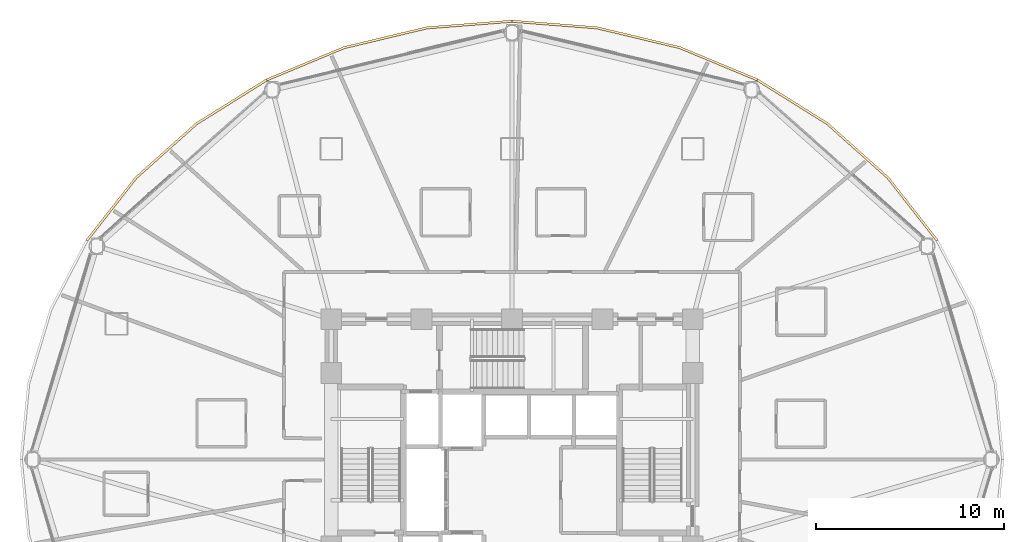
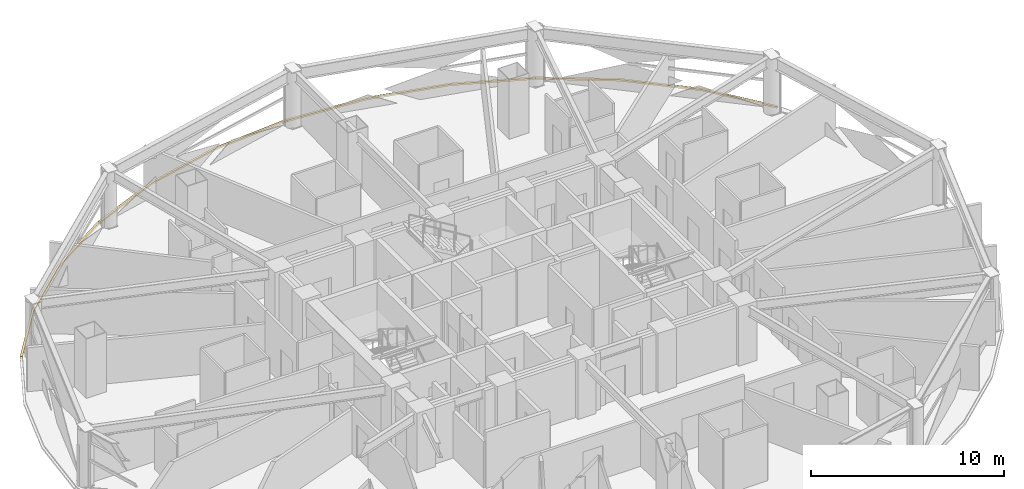
# One storey, part 31 of 31: 4 coverings.
"""IFC4 building model written with IfcOpenShell, lengths in metres."""

from ifc_helpers import new_model, si_unit, direction, frame, origin, place, context, subcontext, project, spatial, polyline, outline, extrude, material, layer, layer_set, type_object, element, save


model = new_model("IFC4")

# Units and contexts
model_context = context("Model", 3, precision=1e-05, world=origin(), true_north=direction((0.0, 1.0)))
body_context = subcontext(model_context, "Body", "Model", "MODEL_VIEW")
ifc_project = project(units=[si_unit("LENGTHUNIT", "METRE"), si_unit("AREAUNIT", "SQUARE_METRE"), si_unit("VOLUMEUNIT", "CUBIC_METRE"), si_unit("PLANEANGLEUNIT", "RADIAN"), si_unit("MASSUNIT", "GRAM", prefix="KILO")], contexts=[model_context])

# Site, building, storey
site_placement = place(None, origin())
site = spatial("IfcSite", under=ifc_project, at=site_placement, CompositionType="ELEMENT")
building_placement = place(site_placement, origin())
building = spatial("IfcBuilding", under=site, at=building_placement, Name="Vantalir Tower", CompositionType="ELEMENT")
storey_placement = place(building_placement, frame((0.0, 0.0, 30.75)))
storey = spatial("IfcBuildingStorey", under=building, at=storey_placement, Name="L06", CompositionType="ELEMENT", Elevation=30.75)

# Coverings
ifc_material = material(Name="Anodised champagne aluminium sill fascia", Category="aluminium")
ifc_layer = layer(ifc_material, 0.125)
ifc_layer_set = layer_set([ifc_layer], Name="Anodised champagne aluminium sill fascia")
covering_type = type_object("IfcCoveringType", Name="COV-SLAB-FASCIA-125", PredefinedType="CLADDING", material=ifc_layer_set)
covering_1_placement = place(storey_placement, frame((0.0, 0.0, -0.179931640625)))
element("IfcCovering", 1, at=covering_1_placement, inside=storey, type_object=covering_type, Name="L06 Perimeter Slab-Edge Sill Fascia 02", PredefinedType="CLADDING", context=body_context, shape_type="SweptSolid", body=[
    extrude(outline(polyline([(54.125, 36.6689453125), (51.512939453125, 40.001953125), (48.29296875, 42.87890625), (44.56298828125, 45.2119140625), (44.5, 45.10400390625), (48.2119140625, 42.782958984375), (51.4169921875, 39.922119140625), (54.01708984375, 36.60693359375), (54.125, 36.6689453125)])), origin(), (0.0, 0.0, 1.0), 0.10498046875),
])
covering_2_placement = place(storey_placement, frame((0.0, 0.0, -0.179931640625)))
element("IfcCovering", 2, at=covering_2_placement, inside=storey, type_object=covering_type, Name="L06 Perimeter Slab-Edge Sill Fascia 03", PredefinedType="CLADDING", context=body_context, shape_type="SweptSolid", body=[
    extrude(outline(polyline([(44.56298828125, 45.2119140625), (40.43505859375, 46.930908203125), (36.037109375, 47.98388671875), (31.5, 48.339111328125), (31.5, 48.214111328125), (36.014892578125, 47.861083984375), (40.39306640625, 46.81396484375), (44.5, 45.10400390625), (44.56298828125, 45.2119140625)])), origin(), (0.0, 0.0, 1.0), 0.10498046875),
])
covering_3_placement = place(storey_placement, frame((0.0, 0.0, -0.179931640625)))
element("IfcCovering", 3, at=covering_3_placement, inside=storey, type_object=covering_type, Name="L06 Perimeter Slab-Edge Sill Fascia 04", PredefinedType="CLADDING", context=body_context, shape_type="SweptSolid", body=[
    extrude(outline(polyline([(31.5, 48.339111328125), (26.962890625, 47.98388671875), (22.56494140625, 46.930908203125), (18.43798828125, 45.2119140625), (18.5, 45.10400390625), (22.60693359375, 46.81396484375), (26.985107421875, 47.861083984375), (31.5, 48.214111328125), (31.5, 48.339111328125)])), origin(), (0.0, 0.0, 1.0), 0.10498046875),
])
covering_4_placement = place(storey_placement, frame((0.0, 0.0, -0.179931640625)))
element("IfcCovering", 4, at=covering_4_placement, inside=storey, type_object=covering_type, Name="L06 Perimeter Slab-Edge Sill Fascia 05", PredefinedType="CLADDING", context=body_context, shape_type="SweptSolid", body=[
    extrude(outline(polyline([(18.43798828125, 45.2119140625), (14.70703125, 42.87890625), (11.487060546875, 40.001953125), (8.875, 36.6689453125), (8.98291015625, 36.60693359375), (11.5830078125, 39.922119140625), (14.7880859375, 42.782958984375), (18.5, 45.10400390625), (18.43798828125, 45.2119140625)])), origin(), (0.0, 0.0, 1.0), 0.10498046875),
])

save(model, "model.ifc")
